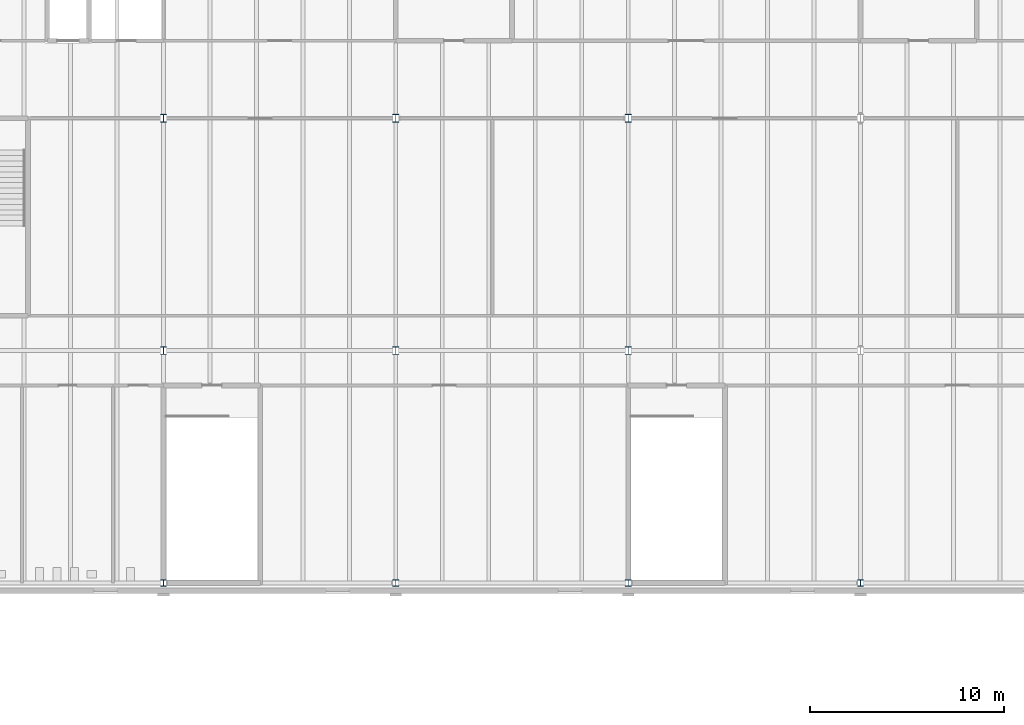
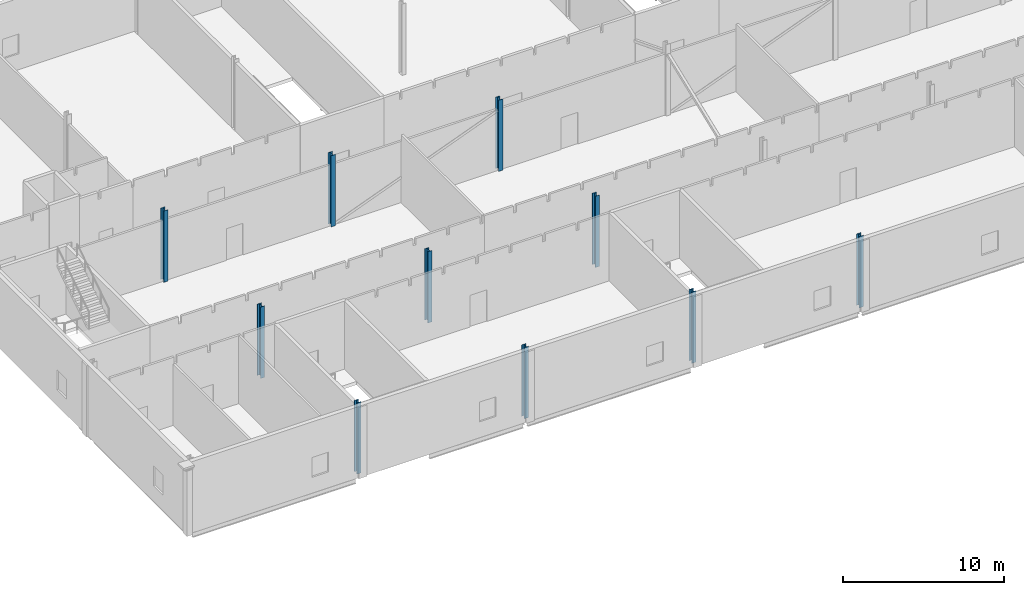
# One storey, part 3 of 321: 10 columns.
"""IFC4 building model written with IfcOpenShell, lengths in metres."""

from ifc_helpers import new_model, si_unit, direction, frame, origin, origin_2d, place, context, subcontext, project, spatial, i_section, extrude, material, material_profile, profile_set, type_object, element, save


model = new_model("IFC4")

# Units and contexts
model_context = context("Model", 3, precision=1e-05, world=origin(), true_north=direction((0.0, 1.0)))
body_context = subcontext(model_context, "Body", "Model", "MODEL_VIEW")
ifc_project = project(units=[si_unit("LENGTHUNIT", "METRE"), si_unit("AREAUNIT", "SQUARE_METRE"), si_unit("VOLUMEUNIT", "CUBIC_METRE"), si_unit("PLANEANGLEUNIT", "RADIAN"), si_unit("MASSUNIT", "GRAM", prefix="KILO")], contexts=[model_context])

# Site, building, storey
site_placement = place(None, origin())
site = spatial("IfcSite", under=ifc_project, at=site_placement, CompositionType="ELEMENT")
building_placement = place(site_placement, origin())
building = spatial("IfcBuilding", under=site, at=building_placement, Name="Ravi Spectrum Wholesale Market", CompositionType="ELEMENT")
storey_placement = place(building_placement, frame((0.0, 0.0, 10.800048828125)))
storey = spatial("IfcBuildingStorey", under=building, at=storey_placement, Name="L02", CompositionType="ELEMENT", Elevation=10.800048828125)

# Columns
ifc_material_1 = material(Name="Steel S355", Category="steel")
ifc_material_profile_1 = material_profile(ifc_material_1, i_section(OverallWidth=0.300048828125, OverallDepth=0.340087890625, WebThickness=0.011962890625, FlangeThickness=0.021484375, at=origin_2d()))
ifc_profile_set_1 = profile_set([ifc_material_profile_1], Name="Steel S355")
column_type_1 = type_object("IfcColumnType", Name="HEB 340 column", PredefinedType="COLUMN", material=ifc_profile_set_1)
for number, where, z_axis, x_axis, name in (
    (1, (210.0, 18.0, 0.0), (0.0, 0.0, 1.0), (1.0, 0.0, 0.0), "CS-COL-L02-006"),
    (2, (222.0, 18.0, 0.0), (0.0, 0.0, 1.0), (1.0, 0.0, 0.0), "CS-COL-L02-011"),
    (3, (234.0, 18.0, 0.0), (0.0, 0.0, 1.0), (1.0, 0.0, 0.0), "CS-COL-L02-016"),
    (4, (246.0, 18.0, 0.0), (0.0, 0.0, 1.0), (1.0, 0.0, 0.0), "CS-COL-L02-021"),
):
    element("IfcColumn", number, at=place(storey_placement, frame(where, z_axis=z_axis, x_axis=x_axis)), inside=storey, type_object=column_type_1, Name=name, PredefinedType="COLUMN", context=body_context, shape_type="SweptSolid", body=[
        extrude(i_section(OverallWidth=0.300048828125, OverallDepth=0.340087890625, WebThickness=0.011962890625, FlangeThickness=0.021484375, at=origin_2d()), origin(), (0.0, 0.0, 1.0), 5.39990234375),
    ])
ifc_material_2 = material(Name="Steel S355", Category="steel")
ifc_material_profile_2 = material_profile(ifc_material_2, i_section(OverallWidth=0.300048828125, OverallDepth=0.39990234375, WebThickness=0.013427734375, FlangeThickness=0.02392578125, at=origin_2d()))
ifc_profile_set_2 = profile_set([ifc_material_profile_2], Name="Steel S355")
column_type_2 = type_object("IfcColumnType", Name="HEB 400 column", PredefinedType="COLUMN", material=ifc_profile_set_2)
for number, where, z_axis, x_axis, name in (
    (5, (210.0, 30.0, 0.0), (0.0, 0.0, 1.0), (1.0, 0.0, 0.0), "CS-COL-L02-007"),
    (6, (210.0, 42.0, 0.0), (0.0, 0.0, 1.0), (1.0, 0.0, 0.0), "CS-COL-L02-008"),
    (7, (222.0, 30.0, 0.0), (0.0, 0.0, 1.0), (1.0, 0.0, 0.0), "CS-COL-L02-012"),
    (8, (222.0, 42.0, 0.0), (0.0, 0.0, 1.0), (1.0, 0.0, 0.0), "CS-COL-L02-013"),
    (9, (234.0, 30.0, 0.0), (0.0, 0.0, 1.0), (1.0, 0.0, 0.0), "CS-COL-L02-017"),
    (10, (234.0, 42.0, 0.0), (0.0, 0.0, 1.0), (1.0, 0.0, 0.0), "CS-COL-L02-018"),
):
    element("IfcColumn", number, at=place(storey_placement, frame(where, z_axis=z_axis, x_axis=x_axis)), inside=storey, type_object=column_type_2, Name=name, PredefinedType="COLUMN", context=body_context, shape_type="SweptSolid", body=[
        extrude(i_section(OverallWidth=0.300048828125, OverallDepth=0.39990234375, WebThickness=0.013427734375, FlangeThickness=0.02392578125, at=origin_2d()), origin(), (0.0, 0.0, 1.0), 5.39990234375),
    ])

save(model, "model.ifc")
